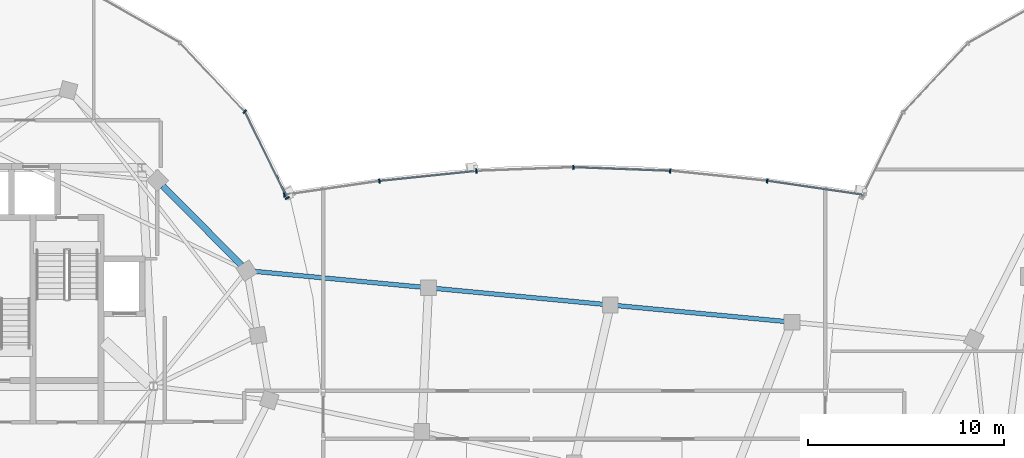
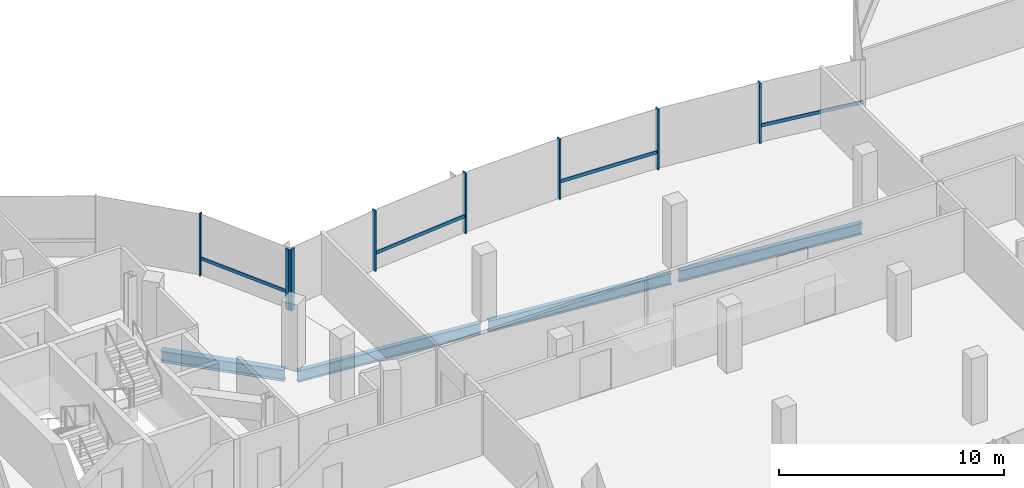
# One storey, part 7 of 26: 12 members, 4 beams, 2 elements without a shape of their own.
"""IFC4 building model written with IfcOpenShell, lengths in metres."""

from ifc_helpers import new_model, si_unit, direction, frame, origin, origin_2d, place, context, subcontext, project, spatial, rectangle, i_section, extrude, material, material_profile, profile_set, type_object, element, aggregate, save


model = new_model("IFC4")

# Units and contexts
model_context = context("Model", 3, precision=1e-05, world=origin(), true_north=direction((0.0, 1.0)))
body_context = subcontext(model_context, "Body", "Model", "MODEL_VIEW")
ifc_project = project(units=[si_unit("LENGTHUNIT", "METRE"), si_unit("AREAUNIT", "SQUARE_METRE"), si_unit("VOLUMEUNIT", "CUBIC_METRE"), si_unit("PLANEANGLEUNIT", "RADIAN"), si_unit("MASSUNIT", "GRAM", prefix="KILO"), si_unit("THERMODYNAMICTEMPERATUREUNIT", "KELVIN"), si_unit("POWERUNIT", "WATT")], contexts=[model_context])

# Site, building, storey
site_placement = place(None, origin())
site = spatial("IfcSite", under=ifc_project, at=site_placement, CompositionType="ELEMENT")
building_placement = place(site_placement, origin())
building = spatial("IfcBuilding", under=site, at=building_placement, Name="Cundina Bronze Exchange", CompositionType="ELEMENT")
storey_placement = place(building_placement, frame((0.0, 0.0, 264.800048828125)))
storey = spatial("IfcBuildingStorey", under=building, at=storey_placement, Name="L70", CompositionType="ELEMENT", Elevation=264.800048828125)

# Beams
ifc_material_1 = material(Name="Steel ASTM A992 Grade 50", Category="steel")
ifc_material_profile_1 = material_profile(ifc_material_1, i_section(OverallWidth=0.22998046875, OverallDepth=0.616943359375, WebThickness=0.01318359375, FlangeThickness=0.022216796875, FilletRadius=0.013916015625, at=origin_2d()), Name="W24X94", Category="steel")
ifc_profile_set_1 = profile_set([ifc_material_profile_1], Name="Steel ASTM A992 Grade 50")
beam_type_1 = type_object("IfcBeamType", Name="BM-FLR-W24B", PredefinedType="BEAM", material=ifc_profile_set_1)
beam_1_placement = place(storey_placement, frame((-16.520751953125, 9.783203125, -0.628662109375), z_axis=(0.995572136276, -0.094000646124, 0.0), x_axis=(0.094000646124, 0.995572136276, 0.0)))
element("IfcBeam", 1, at=beam_1_placement, inside=storey, type_object=beam_type_1, Name="L70 Sky-Gate Longitudinal Girder Y3-P1", PredefinedType="BEAM", context=body_context, shape_type="SweptSolid", body=[
    extrude(i_section(OverallWidth=0.22998046875, OverallDepth=0.616943359375, WebThickness=0.01318359375, FlangeThickness=0.022216796875, FilletRadius=0.013916015625, at=origin_2d()), origin(), (0.0, 0.0, 1.0), 8.949951171875),
])
beam_2_placement = place(storey_placement, frame((-7.251953125, 8.908203125, -0.628662109375), z_axis=(0.995571895232, -0.094003199007, 0.0), x_axis=(0.094003199007, 0.995571895232, 0.0)))
element("IfcBeam", 2, at=beam_2_placement, inside=storey, type_object=beam_type_1, Name="L70 Sky-Gate Longitudinal Girder Y3-P2", PredefinedType="BEAM", context=body_context, shape_type="SweptSolid", body=[
    extrude(i_section(OverallWidth=0.22998046875, OverallDepth=0.616943359375, WebThickness=0.01318359375, FlangeThickness=0.022216796875, FilletRadius=0.013916015625, at=origin_2d()), origin(), (0.0, 0.0, 1.0), 8.94970703125),
])
beam_3_placement = place(storey_placement, frame((2.0166015625, 8.033203125, -0.628662109375), z_axis=(0.995572136276, -0.094000646124, 0.0), x_axis=(0.094000646124, 0.995572136276, 0.0)))
element("IfcBeam", 3, at=beam_3_placement, inside=storey, type_object=beam_type_1, Name="L70 Sky-Gate Longitudinal Girder Y3-P3", PredefinedType="BEAM", context=body_context, shape_type="SweptSolid", body=[
    extrude(i_section(OverallWidth=0.22998046875, OverallDepth=0.616943359375, WebThickness=0.01318359375, FlangeThickness=0.022216796875, FilletRadius=0.013916015625, at=origin_2d()), origin(), (0.0, 0.0, 1.0), 8.949951171875),
])
ifc_material_profile_2 = material_profile(ifc_material_1, i_section(OverallWidth=0.324951171875, OverallDepth=0.615966796875, WebThickness=0.013916015625, FlangeThickness=0.021484375, FilletRadius=0.01611328125, at=origin_2d()), Name="W24X117", Category="steel")
ifc_profile_set_2 = profile_set([ifc_material_profile_2], Name="Steel ASTM A992 Grade 50")
beam_type_2 = type_object("IfcBeamType", Name="BM-RING-W24", PredefinedType="USERDEFINED", material=ifc_profile_set_2)
beam_4_placement = place(storey_placement, frame((-16.972900390625, 10.075927734375, -0.568115234375), z_axis=(-0.703237257446, 0.710955244541, 0.0), x_axis=(-0.710955244541, -0.703237257446, 0.0)))
element("IfcBeam", 4, at=beam_4_placement, inside=storey, type_object=beam_type_2, Name="L70 W Perimeter Ring Girder 02", ObjectType="GIRDER", PredefinedType="USERDEFINED", context=body_context, shape_type="SweptSolid", body=[
    extrude(i_section(OverallWidth=0.324951171875, OverallDepth=0.615966796875, WebThickness=0.013916015625, FlangeThickness=0.021484375, FilletRadius=0.01611328125, at=origin_2d()), origin(), (0.0, 0.0, 1.0), 5.69384765625),
])

# Curtain wall, members
ifc_material_2 = material(Name="Anodised Bronze Aluminium 6063-T6", Category="aluminium")
curtain_wall_type = type_object("IfcCurtainWallType", Name="CWS-SKG-BRG", PredefinedType="NOTDEFINED", material=ifc_material_2)
curtain_wall_1_placement = place(storey_placement, origin())
curtain_wall_1 = element("IfcCurtainWall", 5, at=curtain_wall_1_placement, inside=storey, type_object=curtain_wall_type, Name="L70 CW-06 Curtain Wall Run CWR-L70-W1", PredefinedType="NOTDEFINED")
ifc_material_profile_3 = material_profile(ifc_material_2, rectangle(XDim=0.074951171875, YDim=0.219970703125, at=origin_2d()), Name="AL75X220", Category="aluminium")
ifc_profile_set_3 = profile_set([ifc_material_profile_3], Name="Anodised Bronze Aluminium 6063-T6")
member_type_1 = type_object("IfcMemberType", Name="CWM-MUL-220", PredefinedType="MULLION", material=ifc_profile_set_3)
member_1_placement = place(storey_placement, frame((-14.630859375, 13.50390625, 0.0), z_axis=(0.0, 0.0, 1.0), x_axis=(-0.440566004113, 0.897720221461, 0.0)))
member_1 = element("IfcMember", 6, at=member_1_placement, type_object=member_type_1, Name="CW-06 Mullion 1", PredefinedType="MULLION", context=body_context, shape_type="SweptSolid", body=[
    extrude(rectangle(XDim=0.074951171875, YDim=0.219970703125, at=origin_2d()), origin(), (0.0, 0.0, 1.0), 3.33984375),
])
member_2_placement = place(storey_placement, frame((-16.8037109375, 17.910400390625, 0.0), z_axis=(0.0, 0.0, 1.0), x_axis=(-0.684292606175, 0.729207535023, 0.0)))
member_2 = element("IfcMember", 7, at=member_2_placement, type_object=member_type_1, Name="CW-06 Mullion 2", PredefinedType="MULLION", context=body_context, shape_type="SweptSolid", body=[
    extrude(rectangle(XDim=0.074951171875, YDim=0.219970703125, at=origin_2d()), origin(), (0.0, 0.0, 1.0), 3.33984375),
])

curtain_wall_2_placement = place(storey_placement, origin())
curtain_wall_2 = element("IfcCurtainWall", 8, at=curtain_wall_2_placement, inside=storey, type_object=curtain_wall_type, Name="L70 CW-06 Curtain Wall Run CWR-L70-BRGN", PredefinedType="NOTDEFINED")
member_3_placement = place(storey_placement, frame((9.83447265625, 14.378173828125, 0.0), z_axis=(0.0, 0.0, 1.0), x_axis=(-0.994666875153, 0.103139747302, 0.0)))
member_3 = element("IfcMember", 9, at=member_3_placement, type_object=member_type_1, Name="CW-06 Mullion 2", PredefinedType="MULLION", context=body_context, shape_type="SweptSolid", body=[
    extrude(rectangle(XDim=0.074951171875, YDim=0.219970703125, at=origin_2d()), origin(), (0.0, 0.0, 1.0), 3.280029296875),
])
member_4_placement = place(storey_placement, frame((4.892578125, 14.88720703125, 0.0), z_axis=(0.0, 0.0, 1.0), x_axis=(-0.999302568116, 0.037341362551, 0.0)))
member_4 = element("IfcMember", 10, at=member_4_placement, type_object=member_type_1, Name="CW-06 Mullion 3", PredefinedType="MULLION", context=body_context, shape_type="SweptSolid", body=[
    extrude(rectangle(XDim=0.074951171875, YDim=0.219970703125, at=origin_2d()), origin(), (0.0, 0.0, 1.0), 3.280029296875),
])
member_5_placement = place(storey_placement, frame((-0.047607421875, 15.068115234375, 0.0), z_axis=(0.0, 0.0, 1.0), x_axis=(-0.999302568116, -0.037341362551, 0.0)))
member_5 = element("IfcMember", 11, at=member_5_placement, type_object=member_type_1, Name="CW-06 Mullion 4", PredefinedType="MULLION", context=body_context, shape_type="SweptSolid", body=[
    extrude(rectangle(XDim=0.074951171875, YDim=0.219970703125, at=origin_2d()), origin(), (0.0, 0.0, 1.0), 3.280029296875),
])
member_6_placement = place(storey_placement, frame((-4.98876953125, 14.88037109375, 0.0), z_axis=(0.0, 0.0, 1.0), x_axis=(-0.994666875153, -0.103139747302, 0.0)))
member_6 = element("IfcMember", 12, at=member_6_placement, type_object=member_type_1, Name="CW-06 Mullion 5", PredefinedType="MULLION", context=body_context, shape_type="SweptSolid", body=[
    extrude(rectangle(XDim=0.074951171875, YDim=0.219970703125, at=origin_2d()), origin(), (0.0, 0.0, 1.0), 3.280029296875),
])
member_7_placement = place(storey_placement, frame((-9.93310546875, 14.36572265625, 0.0), z_axis=(0.0, 0.0, 1.0), x_axis=(-0.989525789069, -0.144356201001, 0.0)))
member_7 = element("IfcMember", 13, at=member_7_placement, type_object=member_type_1, Name="CW-06 Mullion 6", PredefinedType="MULLION", context=body_context, shape_type="SweptSolid", body=[
    extrude(rectangle(XDim=0.074951171875, YDim=0.219970703125, at=origin_2d()), origin(), (0.0, 0.0, 1.0), 3.280029296875),
])
member_8_placement = place(storey_placement, frame((-14.779296875, 13.658935546875, 0.0), z_axis=(0.0, 0.0, 1.0), x_axis=(-0.989525789069, -0.144356201001, 0.0)))
member_8 = element("IfcMember", 14, at=member_8_placement, type_object=member_type_1, Name="CW-06 End Mullion", PredefinedType="MULLION", context=body_context, shape_type="SweptSolid", body=[
    extrude(rectangle(XDim=0.074951171875, YDim=0.219970703125, at=origin_2d()), origin(), (0.0, 0.0, 1.0), 3.280029296875),
])

# Member
ifc_material_profile_4 = material_profile(ifc_material_2, rectangle(XDim=0.070068359375, YDim=0.179931640625, at=origin_2d()), Name="AL70X180", Category="aluminium")
ifc_profile_set_4 = profile_set([ifc_material_profile_4], Name="Anodised Bronze Aluminium 6063-T6")
member_type_2 = type_object("IfcMemberType", Name="CWM-TRN-180", PredefinedType="USERDEFINED", material=ifc_profile_set_4)
member_9_placement = place(storey_placement, frame((-14.64892578125, 13.541015625, 0.919921875), z_axis=(-0.440554408939, 0.897725911826, 0.0), x_axis=(-0.897725911826, -0.440554408939, 0.0)))
member_9 = element("IfcMember", 15, at=member_9_placement, type_object=member_type_2, Name="CW-06 Spandrel Transom 1", ObjectType="TRANSOM", PredefinedType="USERDEFINED", context=body_context, shape_type="SweptSolid", body=[
    extrude(rectangle(XDim=0.070068359375, YDim=0.179931640625, at=origin_2d()), origin(), (0.0, 0.0, 1.0), 4.848388671875),
])

aggregate(curtain_wall_1, [member_1, member_9, member_2])

member_10_placement = place(storey_placement, frame((14.738525390625, 13.664794921875, 0.91845703125), z_axis=(-0.989531497997, 0.144317062302, 0.0), x_axis=(-0.144317062302, -0.989531497997, 0.0)))
member_10 = element("IfcMember", 16, at=member_10_placement, type_object=member_type_2, Name="CW-06 Spandrel Transom 1", ObjectType="TRANSOM", PredefinedType="USERDEFINED", context=body_context, shape_type="SweptSolid", body=[
    extrude(rectangle(XDim=0.070068359375, YDim=0.179931640625, at=origin_2d()), origin(), (0.0, 0.0, 1.0), 4.8974609375),
])

member_11_placement = place(storey_placement, frame((4.8515625, 14.888671875, 0.91845703125), z_axis=(-0.999303683555, 0.037311500026, 0.0), x_axis=(-0.037311500026, -0.999303683555, 0.0)))
member_11 = element("IfcMember", 17, at=member_11_placement, type_object=member_type_2, Name="CW-06 Spandrel Transom 3", ObjectType="TRANSOM", PredefinedType="USERDEFINED", context=body_context, shape_type="SweptSolid", body=[
    extrude(rectangle(XDim=0.070068359375, YDim=0.179931640625, at=origin_2d()), origin(), (0.0, 0.0, 1.0), 4.8486328125),
])

member_12_placement = place(storey_placement, frame((-5.02978515625, 14.8759765625, 0.91845703125), z_axis=(-0.994672497027, -0.103085516243, 0.0), x_axis=(0.103085516243, -0.994672497027, 0.0)))
member_12 = element("IfcMember", 18, at=member_12_placement, type_object=member_type_2, Name="CW-06 Spandrel Transom 5", ObjectType="TRANSOM", PredefinedType="USERDEFINED", context=body_context, shape_type="SweptSolid", body=[
    extrude(rectangle(XDim=0.070068359375, YDim=0.179931640625, at=origin_2d()), origin(), (0.0, 0.0, 1.0), 4.87158203125),
])

aggregate(curtain_wall_2, [member_10, member_3, member_4, member_11, member_5, member_6, member_12, member_7, member_8])

save(model, "model.ifc")
